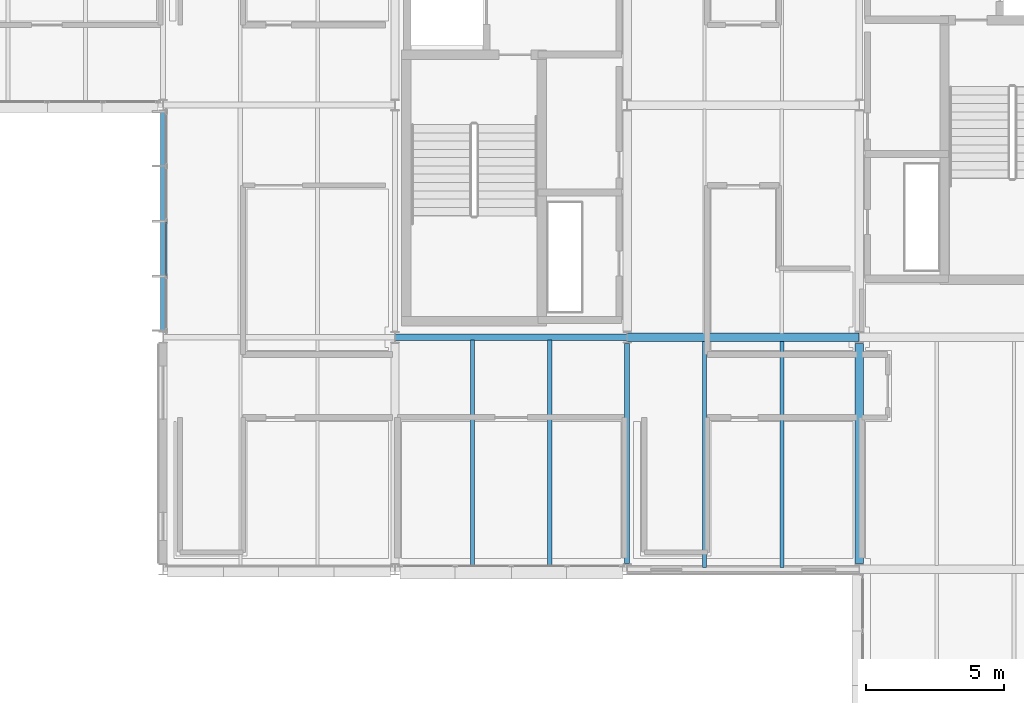
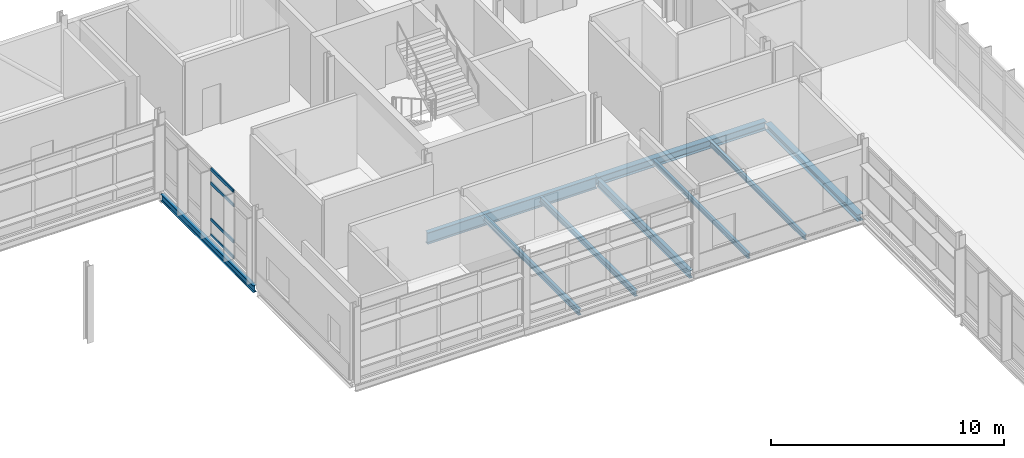
# One storey, part 39 of 66: 9 beams, 4 members, 1 element without a shape of its own.
"""IFC4 building model written with IfcOpenShell, lengths in metres."""

from ifc_helpers import new_model, si_unit, direction, frame, origin, origin_2d, place, context, subcontext, project, spatial, hollow_rectangle, i_section, extrude, material, material_profile, profile_set, type_object, element, aggregate, save


model = new_model("IFC4")

# Units and contexts
model_context = context("Model", 3, precision=1e-05, world=origin(), true_north=direction((0.0, 1.0)))
body_context = subcontext(model_context, "Body", "Model", "MODEL_VIEW")
ifc_project = project(units=[si_unit("LENGTHUNIT", "METRE"), si_unit("AREAUNIT", "SQUARE_METRE"), si_unit("VOLUMEUNIT", "CUBIC_METRE"), si_unit("PLANEANGLEUNIT", "RADIAN"), si_unit("MASSUNIT", "GRAM", prefix="KILO")], contexts=[model_context])

# Site, building, storey
site_placement = place(None, origin())
site = spatial("IfcSite", under=ifc_project, at=site_placement, CompositionType="ELEMENT")
building_placement = place(site_placement, origin())
building = spatial("IfcBuilding", under=site, at=building_placement, Name="Mersafa Astral City Hall", CompositionType="ELEMENT")
storey_placement = place(building_placement, frame((0.0, 0.0, 22.050048828125)))
storey = spatial("IfcBuildingStorey", under=building, at=storey_placement, Name="L05", CompositionType="ELEMENT", Elevation=22.050048828125)

# Curtain wall, members
ifc_material_1 = material(Name="Anodised bronze aluminium framing", Category="aluminium")
curtain_wall_type = type_object("IfcCurtainWallType", Name="ENV-CW-3", PredefinedType="USERDEFINED", material=ifc_material_1)
curtain_wall_placement = place(storey_placement, origin())
curtain_wall = element("IfcCurtainWall", 1, at=curtain_wall_placement, inside=storey, type_object=curtain_wall_type, Name="L05 Unitised solar curtain wall 242", ObjectType="UNITISED CURTAIN WALL", PredefinedType="USERDEFINED")
ifc_material_profile_1 = material_profile(ifc_material_1, hollow_rectangle(XDim=0.06005859375, YDim=0.159912109375, WallThickness=0.00390625, at=origin_2d()), Name="RHS 60x160x4")
ifc_profile_set_1 = profile_set([ifc_material_profile_1], Name="Anodised bronze aluminium framing")
member_type = type_object("IfcMemberType", Name="ENV-CW-TRN-2", PredefinedType="USERDEFINED", material=ifc_profile_set_1)
member_1_placement = place(storey_placement, frame((142.919921875, 113.3701171875, 0.02783203125), z_axis=(0.0, -1.0, 0.0), x_axis=(1.0, 0.0, 0.0)))
member_1 = element("IfcMember", 2, at=member_1_placement, type_object=member_type, Name="CW-3 transom 3.1", ObjectType="TRANSOM", PredefinedType="USERDEFINED", context=body_context, shape_type="SweptSolid", body=[
    extrude(hollow_rectangle(XDim=0.06005859375, YDim=0.159912109375, WallThickness=0.00390625, at=origin_2d()), origin(), (0.0, 0.0, 1.0), 1.93408203125),
])
member_2_placement = place(storey_placement, frame((142.919921875, 113.3701171875, 0.849853515625), z_axis=(0.0, -1.0, 0.0), x_axis=(1.0, 0.0, 0.0)))
member_2 = element("IfcMember", 3, at=member_2_placement, type_object=member_type, Name="CW-3 transom 3.2", ObjectType="TRANSOM", PredefinedType="USERDEFINED", context=body_context, shape_type="SweptSolid", body=[
    extrude(hollow_rectangle(XDim=0.06005859375, YDim=0.159912109375, WallThickness=0.00390625, at=origin_2d()), origin(), (0.0, 0.0, 1.0), 1.93408203125),
])
member_3_placement = place(storey_placement, frame((142.919921875, 113.3701171875, 2.75), z_axis=(0.0, -1.0, 0.0), x_axis=(1.0, 0.0, 0.0)))
member_3 = element("IfcMember", 4, at=member_3_placement, type_object=member_type, Name="CW-3 transom 3.3", ObjectType="TRANSOM", PredefinedType="USERDEFINED", context=body_context, shape_type="SweptSolid", body=[
    extrude(hollow_rectangle(XDim=0.06005859375, YDim=0.159912109375, WallThickness=0.00390625, at=origin_2d()), origin(), (0.0, 0.0, 1.0), 1.93408203125),
])
member_4_placement = place(storey_placement, frame((142.919921875, 113.3701171875, 3.48193359375), z_axis=(0.0, -1.0, 0.0), x_axis=(1.0, 0.0, 0.0)))
member_4 = element("IfcMember", 5, at=member_4_placement, type_object=member_type, Name="CW-3 transom 3.4", ObjectType="TRANSOM", PredefinedType="USERDEFINED", context=body_context, shape_type="SweptSolid", body=[
    extrude(hollow_rectangle(XDim=0.06005859375, YDim=0.159912109375, WallThickness=0.00390625, at=origin_2d()), origin(), (0.0, 0.0, 1.0), 1.93408203125),
])
aggregate(curtain_wall, [member_1, member_2, member_3, member_4])

# Beams
ifc_material_2 = material(Name="Steel S355", Category="steel")
ifc_material_profile_2 = material_profile(ifc_material_2, i_section(OverallWidth=0.300048828125, OverallDepth=0.35009765625, WebThickness=0.010009765625, FlangeThickness=0.017578125, FilletRadius=0.027099609375, at=origin_2d()), Name="HEA 360")
ifc_profile_set_2 = profile_set([ifc_material_profile_2], Name="Steel S355")
beam_type_1 = type_object("IfcBeamType", Name="STR-BM-HEA360", PredefinedType="BEAM", material=ifc_profile_set_2)
beam_1_placement = place(storey_placement, frame((168.0, 101.02001953125, -0.35498046875), z_axis=(0.0, 1.0, 0.0), x_axis=(-1.0, 0.0, 0.0)))
element("IfcBeam", 6, at=beam_1_placement, inside=storey, type_object=beam_type_1, Name="L05 Primary girder Y 20-12", PredefinedType="BEAM", context=body_context, shape_type="SweptSolid", body=[
    extrude(i_section(OverallWidth=0.300048828125, OverallDepth=0.35009765625, WebThickness=0.010009765625, FlangeThickness=0.017578125, FilletRadius=0.027099609375, at=origin_2d()), origin(), (0.0, 0.0, 1.0), 7.9599609375),
])
ifc_material_profile_3 = material_profile(ifc_material_2, i_section(OverallWidth=0.300048828125, OverallDepth=0.43994140625, WebThickness=0.011474609375, FlangeThickness=0.02099609375, FilletRadius=0.027099609375, at=origin_2d()), Name="HEA 450")
ifc_profile_set_3 = profile_set([ifc_material_profile_3], Name="Steel S355")
beam_type_2 = type_object("IfcBeamType", Name="STR-BM-HEA450", PredefinedType="BEAM", material=ifc_profile_set_3)
beam_2_placement = place(storey_placement, frame((159.60302734375, 109.199951171875, -0.400146484375), z_axis=(1.0, 0.0, 0.0), x_axis=(0.0, 1.0, 0.0)))
element("IfcBeam", 7, at=beam_2_placement, inside=storey, type_object=beam_type_2, Name="L05 Primary girder X 19-13", PredefinedType="BEAM", context=body_context, shape_type="SweptSolid", body=[
    extrude(i_section(OverallWidth=0.300048828125, OverallDepth=0.43994140625, WebThickness=0.011474609375, FlangeThickness=0.02099609375, FilletRadius=0.027099609375, at=origin_2d()), origin(), (0.0, 0.0, 1.0), 8.39404296875),
])
ifc_material_profile_4 = material_profile(ifc_material_2, i_section(OverallWidth=0.179931640625, OverallDepth=0.39990234375, WebThickness=0.008544921875, FlangeThickness=0.013427734375, FilletRadius=0.02099609375, at=origin_2d()), Name="IPE 400")
ifc_profile_set_4 = profile_set([ifc_material_profile_4], Name="Steel S355")
beam_type_3 = type_object("IfcBeamType", Name="STR-BM-IPE400", PredefinedType="BEAM", material=ifc_profile_set_4)
beam_3_placement = place(storey_placement, frame((159.60009765625, 101.02001953125, -0.380126953125), z_axis=(0.0, 1.0, 0.0), x_axis=(-1.0, 0.0, 0.0)))
element("IfcBeam", 8, at=beam_3_placement, inside=storey, type_object=beam_type_3, Name="L05 Primary girder Y 19-12", PredefinedType="BEAM", context=body_context, shape_type="SweptSolid", body=[
    extrude(i_section(OverallWidth=0.179931640625, OverallDepth=0.39990234375, WebThickness=0.008544921875, FlangeThickness=0.013427734375, FilletRadius=0.02099609375, at=origin_2d()), origin(), (0.0, 0.0, 1.0), 7.9599609375),
])
ifc_material_profile_5 = material_profile(ifc_material_2, i_section(OverallWidth=0.219970703125, OverallDepth=0.60009765625, WebThickness=0.011962890625, FlangeThickness=0.01904296875, FilletRadius=0.02392578125, at=origin_2d()), Name="IPE 600")
ifc_profile_set_5 = profile_set([ifc_material_profile_5], Name="Steel S355")
beam_type_4 = type_object("IfcBeamType", Name="STR-BM-IPE600", PredefinedType="BEAM", material=ifc_profile_set_5)
beam_4_placement = place(storey_placement, frame((151.202880859375, 109.199951171875, -0.47998046875), z_axis=(1.0, 0.0, 0.0), x_axis=(0.0, 1.0, 0.0)))
element("IfcBeam", 9, at=beam_4_placement, inside=storey, type_object=beam_type_4, Name="L05 Primary girder X 18-13", PredefinedType="BEAM", context=body_context, shape_type="SweptSolid", body=[
    extrude(i_section(OverallWidth=0.219970703125, OverallDepth=0.60009765625, WebThickness=0.011962890625, FlangeThickness=0.01904296875, FilletRadius=0.02392578125, at=origin_2d()), origin(), (0.0, 0.0, 1.0), 8.39404296875),
])
ifc_material_profile_6 = material_profile(ifc_material_2, i_section(OverallWidth=0.135009765625, OverallDepth=0.27001953125, WebThickness=0.006591796875, FlangeThickness=0.01025390625, FilletRadius=0.014892578125, at=origin_2d()), Name="IPE 270")
ifc_profile_set_6 = profile_set([ifc_material_profile_6], Name="Steel S355")
beam_type_5 = type_object("IfcBeamType", Name="STR-BM-JOIST-IPE270", PredefinedType="JOIST", material=ifc_profile_set_6)
for number, where, z_axis, x_axis, name in (
    (10, (162.39990234375, 100.875, -0.31494140625), (0.0, 1.0, 0.0), (-1.0, 0.0, 0.0), "L05 Composite secondary floor joist 823"),
    (11, (165.199951171875, 100.875, -0.31494140625), (0.0, 1.0, 0.0), (-1.0, 0.0, 0.0), "L05 Composite secondary floor joist 824"),
):
    element("IfcBeam", number, at=place(storey_placement, frame(where, z_axis=z_axis, x_axis=x_axis)), inside=storey, type_object=beam_type_5, Name=name, PredefinedType="JOIST", context=body_context, shape_type="SweptSolid", body=[
        extrude(i_section(OverallWidth=0.135009765625, OverallDepth=0.27001953125, WebThickness=0.006591796875, FlangeThickness=0.01025390625, FilletRadius=0.014892578125, at=origin_2d()), origin(), (0.0, 0.0, 1.0), 8.179931640625),
    ])
ifc_material_profile_7 = material_profile(ifc_material_2, i_section(OverallWidth=0.14990234375, OverallDepth=0.300048828125, WebThickness=0.007080078125, FlangeThickness=0.0107421875, FilletRadius=0.014892578125, at=origin_2d()), Name="IPE 300")
ifc_profile_set_7 = profile_set([ifc_material_profile_7], Name="Steel S355")
beam_type_6 = type_object("IfcBeamType", Name="STR-BM-JOIST-IPE300", PredefinedType="JOIST", material=ifc_profile_set_7)
for number, where, z_axis, x_axis, name in (
    (12, (154.0, 100.8798828125, -0.330078125), (0.0, 1.0, 0.0), (-1.0, 0.0, 0.0), "L05 Composite secondary floor joist 815"),
    (13, (156.800048828125, 100.8798828125, -0.330078125), (0.0, 1.0, 0.0), (-1.0, 0.0, 0.0), "L05 Composite secondary floor joist 816"),
):
    element("IfcBeam", number, at=place(storey_placement, frame(where, z_axis=z_axis, x_axis=x_axis)), inside=storey, type_object=beam_type_6, Name=name, PredefinedType="JOIST", context=body_context, shape_type="SweptSolid", body=[
        extrude(i_section(OverallWidth=0.14990234375, OverallDepth=0.300048828125, WebThickness=0.007080078125, FlangeThickness=0.0107421875, FilletRadius=0.014892578125, at=origin_2d()), origin(), (0.0, 0.0, 1.0), 8.215087890625),
    ])
ifc_material_profile_8 = material_profile(ifc_material_2, i_section(OverallWidth=0.169921875, OverallDepth=0.360107421875, WebThickness=0.008056640625, FlangeThickness=0.0126953125, FilletRadius=0.01806640625, at=origin_2d()), Name="IPE 360")
ifc_profile_set_8 = profile_set([ifc_material_profile_8], Name="Steel S355")
beam_type_7 = type_object("IfcBeamType", Name="STR-BM-SPANDREL-IPE360", PredefinedType="SPANDREL", material=ifc_profile_set_8)
beam_5_placement = place(storey_placement, frame((142.800048828125, 109.419921875, -0.360107421875), z_axis=(0.0, 1.0, 0.0), x_axis=(-1.0, 0.0, 0.0)))
element("IfcBeam", 14, at=beam_5_placement, inside=storey, type_object=beam_type_7, Name="L05 Primary girder Y 17-13", PredefinedType="SPANDREL", context=body_context, shape_type="SweptSolid", body=[
    extrude(i_section(OverallWidth=0.169921875, OverallDepth=0.360107421875, WebThickness=0.008056640625, FlangeThickness=0.0126953125, FilletRadius=0.01806640625, at=origin_2d()), origin(), (0.0, 0.0, 1.0), 7.9599609375),
])

save(model, "model.ifc")
